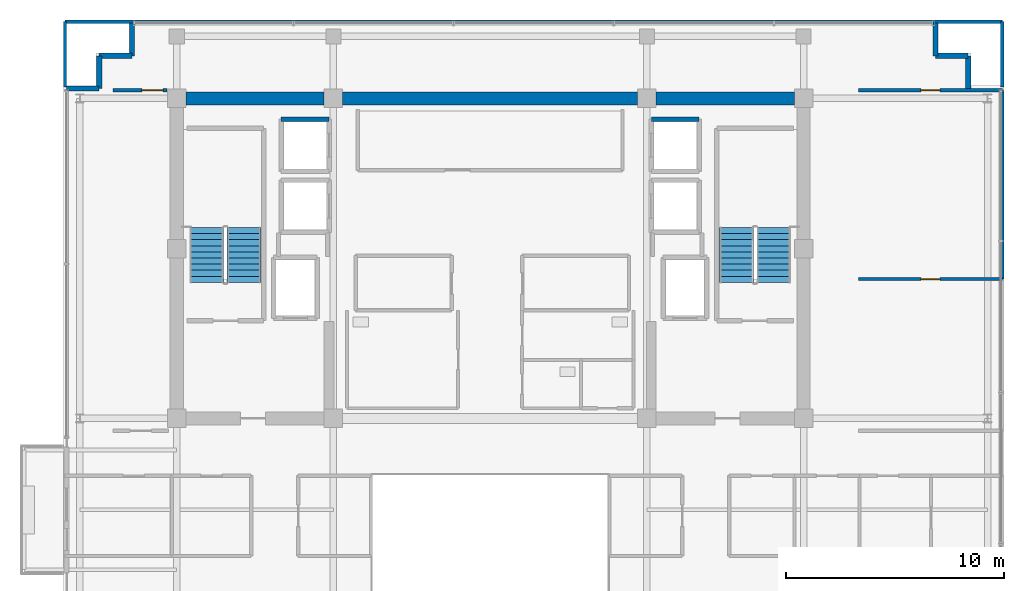
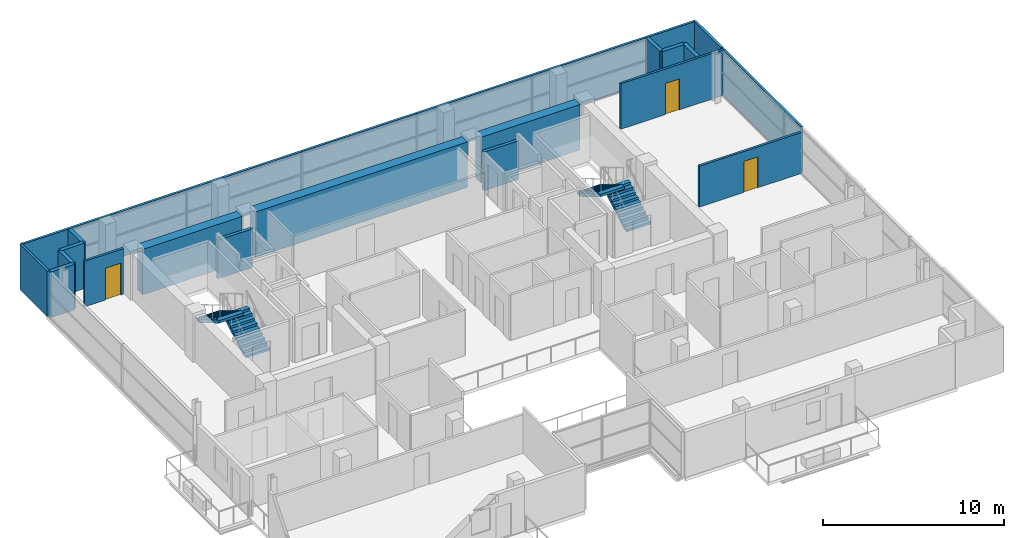
# One storey, part 18 of 21: 19 walls, 4 stair flights, 3 doors, 3 openings, 2 elements without a shape of their own.
"""IFC4 building model written with IfcOpenShell, lengths in metres."""

import ifcopenshell
import ifcopenshell.guid

model = None  # the IFC model being written
_history = None  # IfcOwnerHistory: only IFC2X3 demands one
_inside = {}  # id of a spatial element -> (the spatial element, [elements in it])
_under = {}  # id of a project, library or spatial element -> (it, [spatial elements below it])
_declared = {}  # id of a project -> (the project, [libraries it declares])
_typed = {}  # id of a type object -> (the type object, [elements of that type])
_made_of = {}  # id of a material, layer set ... -> (it, [elements and type objects made of it])


def new_model(schema):
    """Start an empty IFC model of exactly this schema.

    Asked for "IFC4X3", IfcOpenShell would pick the latest addendum, in which some entities
    have other attributes; the version numbers below select the first issue.
    IFC2X3 requires an IfcOwnerHistory on every rooted entity: one is made here for all.
    """
    global model, _history
    if schema == "IFC4X3":
        model = ifcopenshell.file(schema_version=(4, 3, 0, 0))
    else:
        model = ifcopenshell.file(schema=schema)
    _inside.clear()
    _under.clear()
    _declared.clear()
    _typed.clear()
    _made_of.clear()
    _history = None
    if model.schema == "IFC2X3":
        org = make("IfcOrganization", Name="unknown")
        user = make(
            "IfcPersonAndOrganization",
            ThePerson=make("IfcPerson", FamilyName="unknown"),
            TheOrganization=org,
        )
        app = make(
            "IfcApplication",
            ApplicationDeveloper=org,
            Version="unknown",
            ApplicationFullName="unknown",
            ApplicationIdentifier="unknown",
        )
        _history = make(
            "IfcOwnerHistory",
            OwningUser=user,
            OwningApplication=app,
            ChangeAction="ADDED",
            CreationDate=0,
        )
    return model


def make(cls, **values):
    """One entity of the class cls with the attributes given. An attribute that is None is left unset."""
    return model.create_entity(
        cls, **{name: value for name, value in values.items() if value is not None}
    )


def rooted(cls, **values):
    """An entity with a GlobalId (a new one), such as an element, a storey or a relation."""
    return make(cls, GlobalId=ifcopenshell.guid.new(), OwnerHistory=_history, **values)


def si_unit(unit_type, name, prefix=None):
    """IfcSIUnit, for example si_unit("LENGTHUNIT", "METRE", prefix="MILLI")."""
    return make("IfcSIUnit", UnitType=unit_type, Prefix=prefix, Name=name)


def assignment(units):
    """IfcUnitAssignment: the units of a project."""
    return None if units is None else make("IfcUnitAssignment", Units=units)


def point(xyz):
    """IfcCartesianPoint."""
    return None if xyz is None else make("IfcCartesianPoint", Coordinates=xyz)


def direction(xyz):
    """IfcDirection."""
    return None if xyz is None else make("IfcDirection", DirectionRatios=xyz)


def frame(location, z_axis=None, x_axis=None):
    """IfcAxis2Placement3D, a coordinate frame: its origin and axes. An axis left out is left unset."""
    return make(
        "IfcAxis2Placement3D",
        Location=point(location),
        Axis=direction(z_axis),
        RefDirection=direction(x_axis),
    )


def frame_2d(location, x_axis=None):
    """IfcAxis2Placement2D, a coordinate frame in the plane: its origin and x axis."""
    return make(
        "IfcAxis2Placement2D", Location=point(location), RefDirection=direction(x_axis)
    )


def origin():
    """The frame at (0, 0, 0) with its axes left unset."""
    return frame((0.0, 0.0, 0.0))


def place(relative_to, where):
    """IfcLocalPlacement: puts the frame where relative to a parent placement (None: the world)."""
    return make(
        "IfcLocalPlacement", PlacementRelTo=relative_to, RelativePlacement=where
    )


def context(
    kind, dimensions, precision=None, world=None, true_north=None, identifier=None
):
    """IfcGeometricRepresentationContext, for example the 3D "Model" context."""
    return make(
        "IfcGeometricRepresentationContext",
        ContextIdentifier=identifier,
        ContextType=kind,
        CoordinateSpaceDimension=dimensions,
        Precision=precision,
        WorldCoordinateSystem=world,
        TrueNorth=true_north,
    )


def subcontext(parent, identifier, kind, view, scale=None):
    """IfcGeometricRepresentationSubContext, for example "Body" below "Model"."""
    return make(
        "IfcGeometricRepresentationSubContext",
        ContextIdentifier=identifier,
        ContextType=kind,
        ParentContext=parent,
        TargetScale=scale,
        TargetView=view,
    )


def project(units=None, contexts=None):
    """IfcProject with its units and contexts."""
    return rooted(
        "IfcProject",
        Name="project",
        RepresentationContexts=contexts,
        UnitsInContext=assignment(units),
    )


def spatial(cls, under=None, at=None, **own):
    """A site, building, storey or space (cls), placed at a placement, below another one or the project."""
    s = rooted(cls, ObjectPlacement=at, **own)
    if under is not None:
        _under.setdefault(under.id(), (under, []))[1].append(s)
    return s


def polyline(points):
    """IfcPolyline through the points."""
    return make("IfcPolyline", Points=[point(p) for p in points])


def profile(cls, at=None, kind="AREA", **sizes):
    """A parametric profile (cls). Its sizes go by their IFC names, for example OverallWidth=200.0."""
    return make(cls, ProfileType=kind, Position=at, **sizes)


def rectangle(**sizes):
    """IfcRectangleProfileDef."""
    return profile("IfcRectangleProfileDef", **sizes)


def outline(outer, holes=None, kind="AREA"):
    """IfcArbitraryClosedProfileDef: a profile drawn as a closed curve; with holes, ...WithVoids."""
    if holes is None:
        return make("IfcArbitraryClosedProfileDef", ProfileType=kind, OuterCurve=outer)
    return make(
        "IfcArbitraryProfileDefWithVoids",
        ProfileType=kind,
        OuterCurve=outer,
        InnerCurves=holes,
    )


def extrude(swept, where, along, depth):
    """IfcExtrudedAreaSolid: the profile swept, set in the frame where, extruded along a direction by depth."""
    return make(
        "IfcExtrudedAreaSolid",
        SweptArea=swept,
        Position=where,
        ExtrudedDirection=direction(along),
        Depth=depth,
    )


def shape(context_of_items, identifier, shape_type, items):
    """IfcShapeRepresentation: the items that make up one representation, for example the "Body"."""
    return make(
        "IfcShapeRepresentation",
        ContextOfItems=context_of_items,
        RepresentationIdentifier=identifier,
        RepresentationType=shape_type,
        Items=items,
    )


def source(mapping_origin, context_of_items, identifier, shape_type, items):
    """IfcRepresentationMap: a shape defined once, which mapped items show again and again."""
    return make(
        "IfcRepresentationMap",
        MappingOrigin=mapping_origin,
        MappedRepresentation=shape(context_of_items, identifier, shape_type, items),
    )


def transform(
    local_origin,
    x_axis=None,
    y_axis=None,
    z_axis=None,
    scale=None,
    scale2=None,
    scale3=None,
    uniform=True,
):
    """IfcCartesianTransformationOperator3D, or its non-uniform kind. x_axis, y_axis, z_axis: its Axis1, 2, 3."""
    if uniform:
        return make(
            "IfcCartesianTransformationOperator3D",
            Axis1=direction(x_axis),
            Axis2=direction(y_axis),
            LocalOrigin=point(local_origin),
            Scale=scale,
            Axis3=direction(z_axis),
        )
    return make(
        "IfcCartesianTransformationOperator3DnonUniform",
        Axis1=direction(x_axis),
        Axis2=direction(y_axis),
        LocalOrigin=point(local_origin),
        Scale=scale,
        Axis3=direction(z_axis),
        Scale2=scale2,
        Scale3=scale3,
    )


def mapped(mapping_source, mapping_target):
    """IfcMappedItem: shows the shape of a source again, moved by a transform."""
    return make(
        "IfcMappedItem", MappingSource=mapping_source, MappingTarget=mapping_target
    )


def material(Name=None, Category=None):
    """IfcMaterial."""
    return make("IfcMaterial", Name=Name, Category=Category)


def layer(
    of_material, thickness, ventilated=None, Name=None, Category=None, Priority=None
):
    """IfcMaterialLayer: one layer of a wall or slab, of a material (None: an air gap)."""
    return make(
        "IfcMaterialLayer",
        Material=of_material,
        LayerThickness=thickness,
        IsVentilated=ventilated,
        Name=Name,
        Category=Category,
        Priority=Priority,
    )


def layer_set(layers, Name=None):
    """IfcMaterialLayerSet."""
    return make("IfcMaterialLayerSet", MaterialLayers=layers, LayerSetName=Name)


def made_of(thing, what):
    """Note that an element or type object is made of a material, layer set ...; save() writes the relation."""
    if what is not None:
        _made_of.setdefault(what.id(), (what, []))[1].append(thing)
    return thing


def type_object(cls, material=None, **own):
    """A type object (cls), such as IfcWallType, which elements share."""
    return made_of(rooted(cls, **own), material)


def element(
    cls,
    number,
    at=None,
    inside=None,
    cuts=None,
    type_object=None,
    material=None,
    context=None,
    identifier="Body",
    shape_type=None,
    held_by="IfcProductDefinitionShape",
    body=None,
    shapes=None,
    **own,
):
    """One element of the class cls, such as IfcWall. Its Tag is "e" and its number.

    at: its placement. inside: the storey or other place that contains it. cuts: it is an
    opening in that element (IfcRelVoidsElement). A single representation is given by context,
    identifier, shape_type and body (its items); several are given by shapes. held_by: the class
    of the entity that holds the representations. save() writes the other relations.
    """
    e = rooted(cls, Tag="e%d" % number, ObjectPlacement=at, **own)
    if body is not None:
        shapes = [shape(context, identifier, shape_type, body)]
    if shapes is not None:
        e.Representation = make(held_by, Representations=shapes)
    if inside is not None:
        _inside.setdefault(inside.id(), (inside, []))[1].append(e)
    if cuts is not None:
        rooted(
            "IfcRelVoidsElement", RelatingBuildingElement=cuts, RelatedOpeningElement=e
        )
    if type_object is not None:
        _typed.setdefault(type_object.id(), (type_object, []))[1].append(e)
    return made_of(e, material)


def fill(opening, filler):
    """IfcRelFillsElement: the door or window that sits in an opening."""
    return rooted(
        "IfcRelFillsElement",
        RelatingOpeningElement=opening,
        RelatedBuildingElement=filler,
    )


def aggregate(whole, parts):
    """IfcRelAggregates: a whole, such as a stair, and the parts it consists of."""
    return rooted("IfcRelAggregates", RelatingObject=whole, RelatedObjects=parts)


def save(model, path):
    """Write the relations noted so far, then the file.

    IfcRelAggregates (storeys below a building ...), IfcRelContainedInSpatialStructure (elements
    in a storey), IfcRelDefinesByType, IfcRelAssociatesMaterial and IfcRelDeclares: one each for
    every whole, place, type object, material and project.
    """
    for whole, parts in _under.values():
        aggregate(whole, parts)
    for where, things in _inside.values():
        rooted(
            "IfcRelContainedInSpatialStructure",
            RelatedElements=things,
            RelatingStructure=where,
        )
    for kind, things in _typed.values():
        rooted("IfcRelDefinesByType", RelatedObjects=things, RelatingType=kind)
    for what, things in _made_of.values():
        rooted("IfcRelAssociatesMaterial", RelatedObjects=things, RelatingMaterial=what)
    for by, libraries in _declared.values():
        rooted("IfcRelDeclares", RelatingContext=by, RelatedDefinitions=libraries)
    model.write(path)


model = new_model("IFC4")

# Units and contexts
model_context = context("Model", 3, precision=1e-05, world=origin(), true_north=direction((0.0, 1.0)))
body_context = subcontext(model_context, "Body", "Model", "MODEL_VIEW")
ifc_project = project(units=[si_unit("LENGTHUNIT", "METRE"), si_unit("AREAUNIT", "SQUARE_METRE"), si_unit("VOLUMEUNIT", "CUBIC_METRE"), si_unit("PLANEANGLEUNIT", "RADIAN"), si_unit("MASSUNIT", "GRAM", prefix="KILO")], contexts=[model_context])

# Site, building, storey
site_placement = place(None, origin())
site = spatial("IfcSite", under=ifc_project, at=site_placement, CompositionType="ELEMENT")
building_placement = place(site_placement, origin())
building = spatial("IfcBuilding", under=site, at=building_placement, Name="Zarnakvel Exchange Tower", CompositionType="ELEMENT")
storey_placement = place(building_placement, frame((0.0, 0.0, 255.10009765625)))
storey = spatial("IfcBuildingStorey", under=building, at=storey_placement, Name="L72", CompositionType="ELEMENT", Elevation=255.10009765625)

# Walls
ifc_material_1 = material(Name="Concrete C50/60", Category="concrete")
ifc_layer_1 = layer(ifc_material_1, 0.60009765625)
ifc_layer_set_1 = layer_set([ifc_layer_1], Name="Concrete C50/60")
wall_type_1 = type_object("IfcWallType", Name="CW-C5", PredefinedType="SHEAR", material=ifc_layer_set_1)
wall_1_placement = place(storey_placement, frame((-13.97509765625, 13.5, 0.0), z_axis=(0.0, 0.0, 1.0), x_axis=(1.0, 0.0, 0.0)))
element("IfcWall", 1, at=wall_1_placement, inside=storey, type_object=wall_type_1, Name="L72 Rear Core Shear Wall N1 (CW-C5)", PredefinedType="SHEAR", context=body_context, shape_type="SweptSolid", body=[
    extrude(rectangle(XDim=6.35009765625, YDim=0.60009765625, at=frame_2d((3.175048828125, 0.0))), origin(), (0.0, 0.0, 1.0), 3.074951171875),
])
wall_2_placement = place(storey_placement, frame((-6.77490234375, 13.5, 0.0), z_axis=(0.0, 0.0, 1.0), x_axis=(1.0, 0.0, 0.0)))
element("IfcWall", 2, at=wall_2_placement, inside=storey, type_object=wall_type_1, Name="L72 Rear Core Shear Wall N2 (CW-C5)", PredefinedType="SHEAR", context=body_context, shape_type="SweptSolid", body=[
    extrude(rectangle(XDim=13.5498046875, YDim=0.60009765625, at=frame_2d((6.77490234375, 0.0))), origin(), (0.0, 0.0, 1.0), 3.074951171875),
])
wall_3_placement = place(storey_placement, frame((7.625, 13.5, 0.0), z_axis=(0.0, 0.0, 1.0), x_axis=(1.0, 0.0, 0.0)))
element("IfcWall", 3, at=wall_3_placement, inside=storey, type_object=wall_type_1, Name="L72 Rear Core Shear Wall N3 (CW-C5)", PredefinedType="SHEAR", context=body_context, shape_type="SweptSolid", body=[
    extrude(rectangle(XDim=6.35009765625, YDim=0.60009765625, at=frame_2d((3.175048828125, 0.0))), origin(), (0.0, 0.0, 1.0), 3.074951171875),
])
ifc_material_2 = material(Name="Precast concrete C40/50", Category="concrete")
ifc_layer_2 = layer(ifc_material_2, 0.239990234375)
ifc_layer_set_2 = layer_set([ifc_layer_2], Name="Precast concrete C40/50")
wall_type_2 = type_object("IfcWallType", Name="EW-02", PredefinedType="SOLIDWALL", material=ifc_layer_set_2)
for number, where, z_axis, x_axis, name in (
    (4, (-17.9599609375, 13.9599609375, 0.0), (0.0, 0.0, 1.0), (-1.0, 0.0, 0.0), "L72 Exterior Precast Spandrel Wall EWC-L72-03 (EW-02)"),
    (5, (-17.9599609375, 15.4599609375, 0.0), (0.0, 0.0, 1.0), (0.0, -1.0, 0.0), "L72 Exterior Precast Spandrel Wall EWC-L72-04 (EW-02)"),
    (6, (-16.4599609375, 15.4599609375, 0.0), (0.0, 0.0, 1.0), (-1.0, 0.0, 0.0), "L72 Exterior Precast Spandrel Wall EWC-L72-05 (EW-02)"),
    (7, (-16.4599609375, 16.9599609375, 0.0), (0.0, 0.0, 1.0), (0.0, -1.0, 0.0), "L72 Exterior Precast Spandrel Wall EWC-L72-06 (EW-02)"),
    (8, (20.4599609375, 15.4599609375, 0.0), (0.0, 0.0, 1.0), (0.0, 1.0, 0.0), "L72 Exterior Precast Spandrel Wall EWC-L72-07 (EW-02)"),
    (9, (21.9599609375, 15.4599609375, 0.0), (0.0, 0.0, 1.0), (-1.0, 0.0, 0.0), "L72 Exterior Precast Spandrel Wall EWC-L72-08 (EW-02)"),
    (10, (21.9599609375, 13.9599609375, 0.0), (0.0, 0.0, 1.0), (0.0, 1.0, 0.0), "L72 Exterior Precast Spandrel Wall EWC-L72-09 (EW-02)"),
):
    element("IfcWall", number, at=place(storey_placement, frame(where, z_axis=z_axis, x_axis=x_axis)), inside=storey, type_object=wall_type_2, Name=name, PredefinedType="SOLIDWALL", context=body_context, shape_type="SweptSolid", body=[
        extrude(rectangle(XDim=1.5, YDim=0.239990234375, at=frame_2d((0.75, 0.0))), origin(), (0.0, 0.0, 1.0), 3.074951171875),
    ])

# Wall, opening, door
ifc_material_3 = material(Name="Fire-Rated Gypsum Stud Partition", Category="gypsum")
ifc_layer_3 = layer(ifc_material_3, 0.14990234375)
ifc_layer_set_3 = layer_set([ifc_layer_3], Name="Fire-Rated Gypsum Stud Partition")
wall_type_3 = type_object("IfcWallType", Name="PT-01", PredefinedType="PARTITIONING", material=ifc_layer_set_3)
wall_4_placement = place(storey_placement, frame((-17.3349609375, 13.8798828125, 0.0), z_axis=(0.0, 0.0, 1.0), x_axis=(1.0, 0.0, 0.0)))
wall_4 = element("IfcWall", 11, at=wall_4_placement, inside=storey, type_object=wall_type_3, Name="L72 Partition Wall PWALL-L72-070 (PT-01)", PredefinedType="PARTITIONING", context=body_context, shape_type="SweptSolid", body=[
    extrude(rectangle(XDim=2.489990234375, YDim=0.14990234375, at=frame_2d((1.2451171875, 0.0))), origin(), (0.0, 0.0, 1.0), 3.074951171875),
])
opening_1_placement = place(wall_4_placement, frame((1.330078125, 0.0, 0.0)))
opening_1 = element("IfcOpeningElement", 12, at=opening_1_placement, cuts=wall_4, Name="Opening D-L72-23", PredefinedType="OPENING", context=body_context, shape_type="SweptSolid", body=[
    extrude(rectangle(XDim=0.97998046875, YDim=2.14990234375, at=frame_2d((0.489990234375, 1.074951171875))), frame((0.0, 0.0849609375, 0.0), z_axis=(0.0, -1.0, 0.0), x_axis=(1.0, 0.0, 0.0)), (0.0, 0.0, 1.0), 0.169921875),
])
ifc_material_4 = material(Name="Timber Acoustic Veneer", Category="wood")
door_type_1 = type_object("IfcDoorType", Name="DT-05", OperationType="NOTDEFINED", PredefinedType="DOOR", material=ifc_material_4)
shared_shape_1 = source(origin(), body_context, "Body", "SweptSolid", [
    extrude(rectangle(XDim=0.97998046875, YDim=2.14990234375, at=frame_2d((0.489990234375, 1.074951171875))), frame((0.0, 0.02490234375, 0.0), z_axis=(0.0, -1.0, 0.0), x_axis=(1.0, 0.0, 0.0)), (0.0, 0.0, 1.0), 0.050048828125),
])
door_1_placement = place(opening_1_placement, origin())
door_1 = element("IfcDoor", 13, at=door_1_placement, inside=storey, type_object=door_type_1, Name="L72 Legal Records Office Door D-L72-23", OperationType="SINGLE_SWING_RIGHT", OverallHeight=2.14990234375, OverallWidth=0.97998046875, PredefinedType="DOOR", context=body_context, shape_type="MappedRepresentation", body=[
    mapped(shared_shape_1, transform((0.0, 0.0, 0.0), x_axis=(1.0, 0.0, 0.0), y_axis=(0.0, 1.0, 0.0), z_axis=(0.0, 0.0, 1.0), scale=1.0)),
])
fill(opening_1, door_1)

wall_5_placement = place(storey_placement, frame((16.929931640625, 5.203369140625, 0.0), z_axis=(0.0, 0.0, 1.0), x_axis=(1.0, 0.0, 0.0)))
wall_5 = element("IfcWall", 14, at=wall_5_placement, inside=storey, type_object=wall_type_3, Name="L72 Partition Wall PWALL-L72-072 (PT-01)", PredefinedType="PARTITIONING", context=body_context, shape_type="SweptSolid", body=[
    extrude(rectangle(XDim=6.60009765625, YDim=0.14990234375, at=frame_2d((3.300048828125, 0.0))), origin(), (0.0, 0.0, 1.0), 2.764892578125),
])
opening_2_placement = place(wall_5_placement, frame((2.860107421875, 0.0, 0.0)))
opening_2 = element("IfcOpeningElement", 15, at=opening_2_placement, cuts=wall_5, Name="Opening D-L72-24", PredefinedType="OPENING", context=body_context, shape_type="SweptSolid", body=[
    extrude(rectangle(XDim=0.8798828125, YDim=2.10009765625, at=frame_2d((0.43994140625, 1.050048828125))), frame((0.0, 0.0849609375, 0.0), z_axis=(0.0, -1.0, 0.0), x_axis=(1.0, 0.0, 0.0)), (0.0, 0.0, 1.0), 0.169921875),
])
ifc_material_5 = material(Name="Painted Galvanised Steel S355", Category="steel")
door_type_2 = type_object("IfcDoorType", Name="DT-08", OperationType="NOTDEFINED", PredefinedType="DOOR", material=ifc_material_5)
shared_shape_2 = source(origin(), body_context, "Body", "SweptSolid", [
    extrude(rectangle(XDim=0.8798828125, YDim=2.10009765625, at=frame_2d((0.43994140625, 1.050048828125))), frame((0.0, 0.02490234375, 0.0), z_axis=(0.0, -1.0, 0.0), x_axis=(1.0, 0.0, 0.0)), (0.0, 0.0, 1.0), 0.050048828125),
])
door_2_placement = place(opening_2_placement, origin())
door_2 = element("IfcDoor", 16, at=door_2_placement, inside=storey, type_object=door_type_2, Name="L72 Executive Pantry Door D-L72-24", OperationType="SINGLE_SWING_LEFT", OverallHeight=2.10009765625, OverallWidth=0.8798828125, PredefinedType="DOOR", context=body_context, shape_type="MappedRepresentation", body=[
    mapped(shared_shape_2, transform((0.0, 0.0, 0.0), x_axis=(1.0, 0.0, 0.0), y_axis=(0.0, 1.0, 0.0), z_axis=(0.0, 0.0, 1.0), scale=1.0)),
])
fill(opening_2, door_2)

wall_6_placement = place(storey_placement, frame((16.929931640625, 13.8798828125, 0.0), z_axis=(0.0, 0.0, 1.0), x_axis=(1.0, 0.0, 0.0)))
wall_6 = element("IfcWall", 17, at=wall_6_placement, inside=storey, type_object=wall_type_3, Name="L72 Partition Wall PWALL-L72-074 (PT-01)", PredefinedType="PARTITIONING", context=body_context, shape_type="SweptSolid", body=[
    extrude(rectangle(XDim=6.60009765625, YDim=0.14990234375, at=frame_2d((3.300048828125, 0.0))), origin(), (0.0, 0.0, 1.0), 3.074951171875),
])
opening_3_placement = place(wall_6_placement, frame((2.860107421875, 0.0, 0.0)))
opening_3 = element("IfcOpeningElement", 18, at=opening_3_placement, cuts=wall_6, Name="Opening D-L72-25", PredefinedType="OPENING", context=body_context, shape_type="SweptSolid", body=[
    extrude(rectangle(XDim=0.8798828125, YDim=2.10009765625, at=frame_2d((0.43994140625, 1.050048828125))), frame((0.0, 0.0849609375, 0.0), z_axis=(0.0, -1.0, 0.0), x_axis=(1.0, 0.0, 0.0)), (0.0, 0.0, 1.0), 0.169921875),
])
door_3_placement = place(opening_3_placement, origin())
door_3 = element("IfcDoor", 19, at=door_3_placement, inside=storey, type_object=door_type_2, Name="L72 Legal Records Office Door D-L72-25", OperationType="SINGLE_SWING_RIGHT", OverallHeight=2.10009765625, OverallWidth=0.8798828125, PredefinedType="DOOR", context=body_context, shape_type="MappedRepresentation", body=[
    mapped(shared_shape_2, transform((0.0, 0.0, 0.0), x_axis=(1.0, 0.0, 0.0), y_axis=(0.0, 1.0, 0.0), z_axis=(0.0, 0.0, 1.0), scale=1.0)),
])
fill(opening_3, door_3)

# Walls
wall_7_placement = place(storey_placement, frame((23.530029296875, 13.8798828125, 0.0), z_axis=(0.0, 0.0, 1.0), x_axis=(0.0, -1.0, 0.0)))
element("IfcWall", 20, at=wall_7_placement, inside=storey, type_object=wall_type_3, Name="L72 Partition Wall PWALL-L72-075 (PT-01)", PredefinedType="PARTITIONING", context=body_context, shape_type="SweptSolid", body=[
    extrude(rectangle(XDim=8.676513671875, YDim=0.14990234375, at=frame_2d((4.33837890625, 0.0))), origin(), (0.0, 0.0, 1.0), 3.074951171875),
])
wall_8_placement = place(storey_placement, frame((-19.530029296875, 17.030029296875, 0.0), z_axis=(0.0, 0.0, 1.0), x_axis=(1.0, 0.0, 0.0)))
element("IfcWall", 21, at=wall_8_placement, inside=storey, type_object=wall_type_3, Name="L72 Partition Wall PWALL-L72-076 (PT-01)", PredefinedType="PARTITIONING", context=body_context, shape_type="SweptSolid", body=[
    extrude(rectangle(XDim=43.06005859375, YDim=0.14990234375, at=frame_2d((21.530029296875, 0.0))), origin(), (0.0, 0.0, 1.0), 3.074951171875),
])
for number, where, z_axis, x_axis, name in (
    (22, (-19.530029296875, 14.030029296875, 0.0), (0.0, 0.0, 1.0), (0.0, 1.0, 0.0), "L72 Partition Wall PWALL-L72-077 (PT-01)"),
    (23, (23.530029296875, 17.030029296875, 0.0), (0.0, 0.0, 1.0), (0.0, -1.0, 0.0), "L72 Partition Wall PWALL-L72-078 (PT-01)"),
):
    element("IfcWall", number, at=place(storey_placement, frame(where, z_axis=z_axis, x_axis=x_axis)), inside=storey, type_object=wall_type_3, Name=name, PredefinedType="PARTITIONING", context=body_context, shape_type="SweptSolid", body=[
        extrude(rectangle(XDim=3.0, YDim=0.14990234375, at=frame_2d((1.5, 0.0))), origin(), (0.0, 0.0, 1.0), 3.074951171875),
    ])
ifc_material_6 = material(Name="Concrete C40/50", Category="concrete")
ifc_layer_4 = layer(ifc_material_6, 0.199951171875)
ifc_layer_set_4 = layer_set([ifc_layer_4], Name="Concrete C40/50")
wall_type_4 = type_object("IfcWallType", Name="SW-01", PredefinedType="SOLIDWALL", material=ifc_layer_set_4)
for number, where, z_axis, x_axis, name in (
    (24, (-9.60009765625, 12.550048828125, 0.0), (0.0, 0.0, 1.0), (1.0, 0.0, 0.0), "L72 PL-10 Hoistway Wall North"),
    (25, (7.39990234375, 12.550048828125, 0.0), (0.0, 0.0, 1.0), (1.0, 0.0, 0.0), "L72 PL-12 Hoistway Wall North"),
):
    element("IfcWall", number, at=place(storey_placement, frame(where, z_axis=z_axis, x_axis=x_axis)), inside=storey, type_object=wall_type_4, Name=name, PredefinedType="SOLIDWALL", context=body_context, shape_type="SweptSolid", body=[
        extrude(rectangle(XDim=2.2001953125, YDim=0.199951171875, at=frame_2d((1.10009765625, 0.0))), origin(), (0.0, 0.0, 1.0), 2.614990234375),
    ])

# Stair, stair flights
stair_type = type_object("IfcStairType", Name="STR-01", PredefinedType="HALF_TURN_STAIR", material=ifc_material_6)
stair_1_placement = place(storey_placement, origin())
stair_1 = element("IfcStair", 26, at=stair_1_placement, inside=storey, type_object=stair_type, Name="L72 Protected Core Exit Stair ST-01", PredefinedType="HALF_TURN_STAIR")
stair_flight_type = type_object("IfcStairFlightType", Name="FLT-01", PredefinedType="STRAIGHT", material=ifc_material_6)
stair_flight_1_placement = place(storey_placement, frame((-11.31494140625, 5.050048828125, 0.0), z_axis=(0.0, 0.0, 1.0), x_axis=(0.0, 1.0, 0.0)))
stair_flight_1 = element("IfcStairFlight", 27, at=stair_flight_1_placement, type_object=stair_flight_type, Name="ST-01 flight 1", NumberOfRisers=10, NumberOfTreads=9, PredefinedType="STRAIGHT", RiserHeight=0.165, TreadLength=0.28, context=body_context, shape_type="SweptSolid", body=[
    extrude(outline(polyline([(0.0, 0.0), (0.0, 0.1650390625), (0.280029296875, 0.1650390625), (0.280029296875, 0.330078125), (0.56005859375, 0.330078125), (0.56005859375, 0.4951171875), (0.840087890625, 0.4951171875), (0.840087890625, 0.659912109375), (1.1201171875, 0.659912109375), (1.1201171875, 0.824951171875), (1.39990234375, 0.824951171875), (1.39990234375, 0.989990234375), (1.679931640625, 0.989990234375), (1.679931640625, 1.155029296875), (1.9599609375, 1.155029296875), (1.9599609375, 1.320068359375), (2.239990234375, 1.320068359375), (2.239990234375, 1.485107421875), (2.52001953125, 1.485107421875), (2.52001953125, 1.64990234375), (2.52001953125, 1.31103515625), (0.295166015625, 0.0), (0.0, 0.0)])), frame((0.0, 0.77490234375, 0.0), z_axis=(0.0, -1.0, 0.0), x_axis=(1.0, 0.0, 0.0)), (0.0, 0.0, 1.0), 1.550048828125),
])
stair_flight_2_placement = place(storey_placement, frame((-13.02490234375, 7.570068359375, 1.64990234375), z_axis=(0.0, 0.0, 1.0), x_axis=(0.0, -1.0, 0.0)))
stair_flight_2 = element("IfcStairFlight", 28, at=stair_flight_2_placement, type_object=stair_flight_type, Name="ST-01 flight 2", NumberOfRisers=10, NumberOfTreads=9, PredefinedType="STRAIGHT", RiserHeight=0.165, TreadLength=0.28, context=body_context, shape_type="SweptSolid", body=[
    extrude(outline(polyline([(0.0, 0.0), (0.0, 0.1650390625), (0.280029296875, 0.1650390625), (0.280029296875, 0.330078125), (0.56005859375, 0.330078125), (0.56005859375, 0.4951171875), (0.840087890625, 0.4951171875), (0.840087890625, 0.659912109375), (1.1201171875, 0.659912109375), (1.1201171875, 0.824951171875), (1.39990234375, 0.824951171875), (1.39990234375, 0.989990234375), (1.679931640625, 0.989990234375), (1.679931640625, 1.155029296875), (1.9599609375, 1.155029296875), (1.9599609375, 1.320068359375), (2.239990234375, 1.320068359375), (2.239990234375, 1.485107421875), (2.52001953125, 1.485107421875), (2.52001953125, 1.64990234375), (2.52001953125, 1.31103515625), (0.295166015625, 0.0), (0.0, 0.0)])), frame((0.0, 0.77490234375, 0.0), z_axis=(0.0, -1.0, 0.0), x_axis=(1.0, 0.0, 0.0)), (0.0, 0.0, 1.0), 1.550048828125),
])
aggregate(stair_1, [stair_flight_1, stair_flight_2])

stair_2_placement = place(storey_placement, origin())
stair_2 = element("IfcStair", 29, at=stair_2_placement, inside=storey, type_object=stair_type, Name="L72 Protected Core Exit Stair ST-02", PredefinedType="HALF_TURN_STAIR")
stair_flight_3_placement = place(storey_placement, frame((13.02490234375, 5.050048828125, 0.0), z_axis=(0.0, 0.0, 1.0), x_axis=(0.0, 1.0, 0.0)))
stair_flight_3 = element("IfcStairFlight", 30, at=stair_flight_3_placement, type_object=stair_flight_type, Name="ST-02 flight 1", NumberOfRisers=10, NumberOfTreads=9, PredefinedType="STRAIGHT", RiserHeight=0.165, TreadLength=0.28, context=body_context, shape_type="SweptSolid", body=[
    extrude(outline(polyline([(0.0, 0.0), (0.0, 0.1650390625), (0.280029296875, 0.1650390625), (0.280029296875, 0.330078125), (0.56005859375, 0.330078125), (0.56005859375, 0.4951171875), (0.840087890625, 0.4951171875), (0.840087890625, 0.659912109375), (1.1201171875, 0.659912109375), (1.1201171875, 0.824951171875), (1.39990234375, 0.824951171875), (1.39990234375, 0.989990234375), (1.679931640625, 0.989990234375), (1.679931640625, 1.155029296875), (1.9599609375, 1.155029296875), (1.9599609375, 1.320068359375), (2.239990234375, 1.320068359375), (2.239990234375, 1.485107421875), (2.52001953125, 1.485107421875), (2.52001953125, 1.64990234375), (2.52001953125, 1.31103515625), (0.295166015625, 0.0), (0.0, 0.0)])), frame((0.0, 0.77490234375, 0.0), z_axis=(0.0, -1.0, 0.0), x_axis=(1.0, 0.0, 0.0)), (0.0, 0.0, 1.0), 1.550048828125),
])
stair_flight_4_placement = place(storey_placement, frame((11.31494140625, 7.570068359375, 1.64990234375), z_axis=(0.0, 0.0, 1.0), x_axis=(0.0, -1.0, 0.0)))
stair_flight_4 = element("IfcStairFlight", 31, at=stair_flight_4_placement, type_object=stair_flight_type, Name="ST-02 flight 2", NumberOfRisers=10, NumberOfTreads=9, PredefinedType="STRAIGHT", RiserHeight=0.165, TreadLength=0.28, context=body_context, shape_type="SweptSolid", body=[
    extrude(outline(polyline([(0.0, 0.0), (0.0, 0.1650390625), (0.280029296875, 0.1650390625), (0.280029296875, 0.330078125), (0.56005859375, 0.330078125), (0.56005859375, 0.4951171875), (0.840087890625, 0.4951171875), (0.840087890625, 0.659912109375), (1.1201171875, 0.659912109375), (1.1201171875, 0.824951171875), (1.39990234375, 0.824951171875), (1.39990234375, 0.989990234375), (1.679931640625, 0.989990234375), (1.679931640625, 1.155029296875), (1.9599609375, 1.155029296875), (1.9599609375, 1.320068359375), (2.239990234375, 1.320068359375), (2.239990234375, 1.485107421875), (2.52001953125, 1.485107421875), (2.52001953125, 1.64990234375), (2.52001953125, 1.31103515625), (0.295166015625, 0.0), (0.0, 0.0)])), frame((0.0, 0.77490234375, 0.0), z_axis=(0.0, -1.0, 0.0), x_axis=(1.0, 0.0, 0.0)), (0.0, 0.0, 1.0), 1.550048828125),
])
aggregate(stair_2, [stair_flight_3, stair_flight_4])

save(model, "model.ifc")
